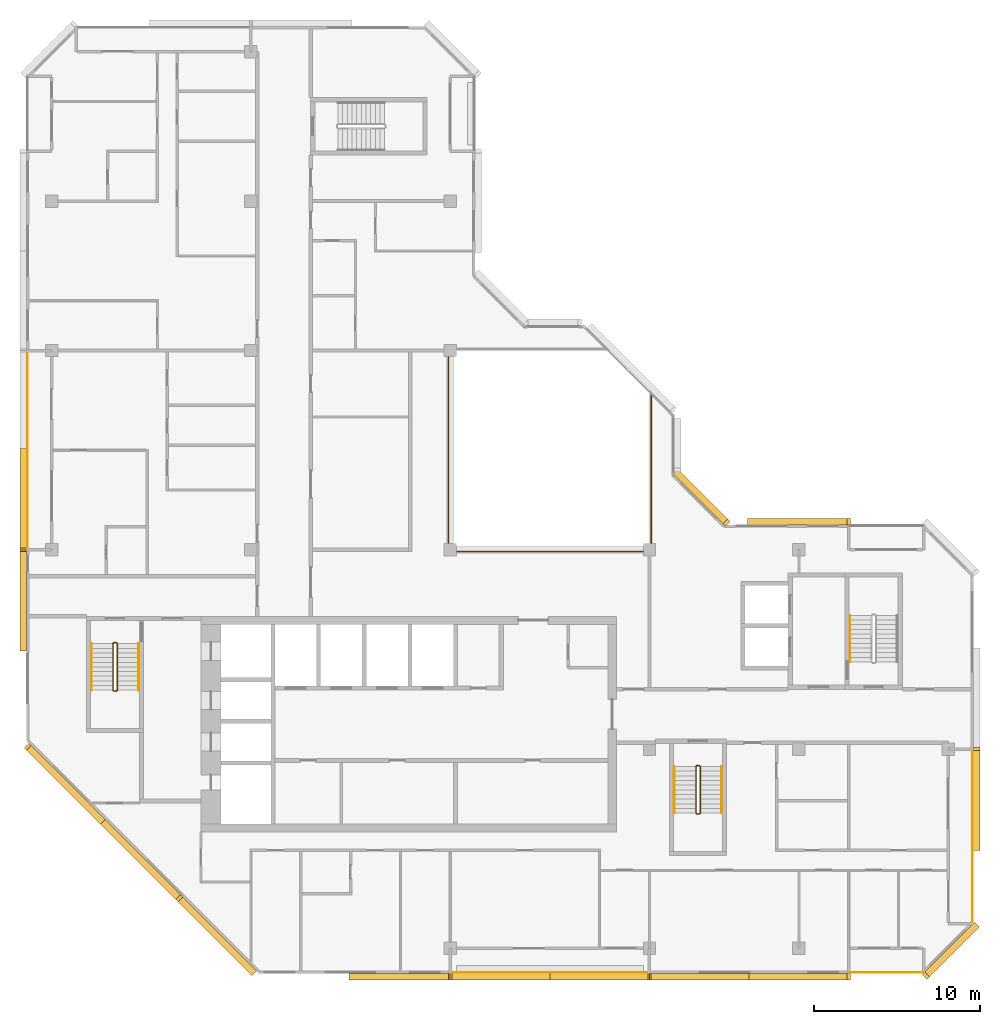
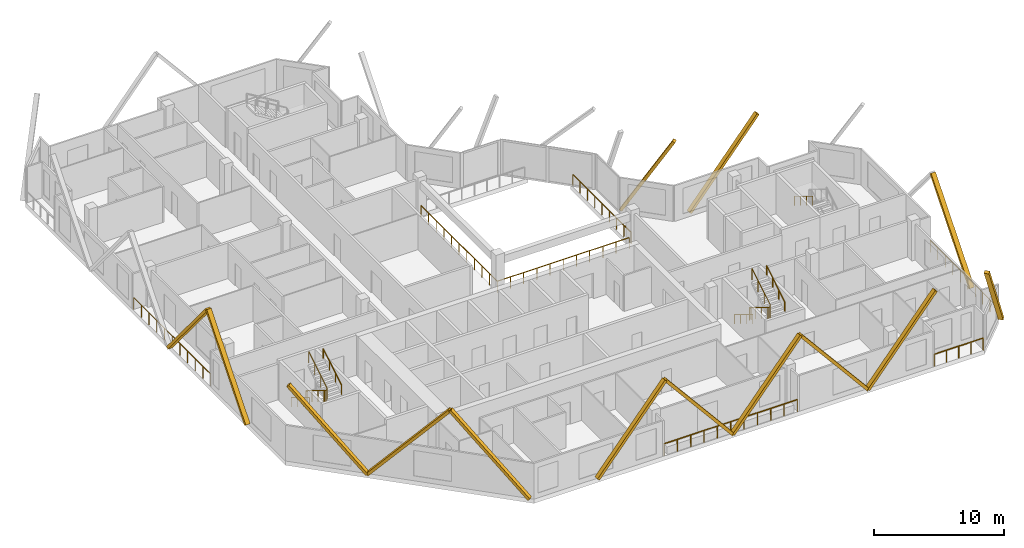
# One storey, part 11 of 12: 14 coverings, 13 railings.
"""IFC4 building model written with IfcOpenShell, lengths in metres."""

from ifc_helpers import new_model, si_unit, direction, frame, origin, origin_2d, place, context, subcontext, project, spatial, rectangle, extrude, material, material_profile, profile_set, type_object, element, save


model = new_model("IFC4")

# Units and contexts
model_context = context("Model", 3, precision=1e-05, world=origin(), true_north=direction((0.0, 1.0)))
body_context = subcontext(model_context, "Body", "Model", "MODEL_VIEW")
ifc_project = project(units=[si_unit("LENGTHUNIT", "METRE"), si_unit("AREAUNIT", "SQUARE_METRE"), si_unit("VOLUMEUNIT", "CUBIC_METRE"), si_unit("PLANEANGLEUNIT", "RADIAN"), si_unit("MASSUNIT", "GRAM", prefix="KILO")], contexts=[model_context])

# Site, building, storey
site_placement = place(None, origin())
site = spatial("IfcSite", under=ifc_project, at=site_placement, CompositionType="ELEMENT")
building_placement = place(site_placement, origin())
building = spatial("IfcBuilding", under=site, at=building_placement, Name="Chenar Terraces", CompositionType="ELEMENT")
storey_placement = place(building_placement, frame((0.0, 0.0, 368.89990234375)))
storey = spatial("IfcBuildingStorey", under=building, at=storey_placement, Name="L86", CompositionType="ELEMENT", Elevation=368.89990234375)

# Railings
ifc_material_1 = material(Name="Powder-coated steel", Category="steel")
railing_type_1 = type_object("IfcRailingType", Name="Guard 1100 steel rail with glass infill", PredefinedType="GUARDRAIL", material=ifc_material_1)
railing_1_placement = place(storey_placement, frame((23.89990234375, 35.625, 0.0)))
element("IfcRailing", 1, at=railing_1_placement, inside=storey, type_object=railing_type_1, Name="Guard L86-1", PredefinedType="GUARDRAIL", context=body_context, shape_type="SweptSolid", body=[
    extrude(rectangle(XDim=0.06005859375, YDim=0.06005859375, at=origin_2d()), frame((0.0, 0.0, 1.070068359375), z_axis=(0.0, -1.0, 0.0), x_axis=(1.0, 0.0, 0.0)), (0.0, 0.0, 1.0), 11.72509765625),
    extrude(rectangle(XDim=0.06005859375, YDim=0.06005859375, at=origin_2d()), frame((0.0, -11.72509765625, 1.070068359375), z_axis=(1.0, 0.0, 0.0), x_axis=(0.0, 1.0, 0.0)), (0.0, 0.0, 1.0), 11.72509765625),
    extrude(rectangle(XDim=0.050048828125, YDim=0.050048828125, at=origin_2d()), origin(), (0.0, 0.0, 1.0), 1.0400390625),
    extrude(rectangle(XDim=0.050048828125, YDim=0.050048828125, at=origin_2d()), frame((0.0, -1.172607421875, 0.0)), (0.0, 0.0, 1.0), 1.0400390625),
    extrude(rectangle(XDim=0.050048828125, YDim=0.050048828125, at=origin_2d()), frame((0.0, -2.344970703125, 0.0)), (0.0, 0.0, 1.0), 1.0400390625),
    extrude(rectangle(XDim=0.050048828125, YDim=0.050048828125, at=origin_2d()), frame((0.0, -3.517578125, 0.0)), (0.0, 0.0, 1.0), 1.0400390625),
    extrude(rectangle(XDim=0.050048828125, YDim=0.050048828125, at=origin_2d()), frame((0.0, -4.68994140625, 0.0)), (0.0, 0.0, 1.0), 1.0400390625),
    extrude(rectangle(XDim=0.050048828125, YDim=0.050048828125, at=origin_2d()), frame((0.0, -5.862548828125, 0.0)), (0.0, 0.0, 1.0), 1.0400390625),
    extrude(rectangle(XDim=0.050048828125, YDim=0.050048828125, at=origin_2d()), frame((0.0, -7.03515625, 0.0)), (0.0, 0.0, 1.0), 1.0400390625),
    extrude(rectangle(XDim=0.050048828125, YDim=0.050048828125, at=origin_2d()), frame((0.0, -8.20751953125, 0.0)), (0.0, 0.0, 1.0), 1.0400390625),
    extrude(rectangle(XDim=0.050048828125, YDim=0.050048828125, at=origin_2d()), frame((0.0, -9.380126953125, 0.0)), (0.0, 0.0, 1.0), 1.0400390625),
    extrude(rectangle(XDim=0.050048828125, YDim=0.050048828125, at=origin_2d()), frame((0.0, -10.552490234375, 0.0)), (0.0, 0.0, 1.0), 1.0400390625),
    extrude(rectangle(XDim=0.050048828125, YDim=0.050048828125, at=origin_2d()), frame((0.0, -11.72509765625, 0.0)), (0.0, 0.0, 1.0), 1.0400390625),
    extrude(rectangle(XDim=0.050048828125, YDim=0.050048828125, at=origin_2d()), frame((1.172607421875, -11.72509765625, 0.0)), (0.0, 0.0, 1.0), 1.0400390625),
    extrude(rectangle(XDim=0.050048828125, YDim=0.050048828125, at=origin_2d()), frame((2.344970703125, -11.72509765625, 0.0)), (0.0, 0.0, 1.0), 1.0400390625),
    extrude(rectangle(XDim=0.050048828125, YDim=0.050048828125, at=origin_2d()), frame((3.517578125, -11.72509765625, 0.0)), (0.0, 0.0, 1.0), 1.0400390625),
    extrude(rectangle(XDim=0.050048828125, YDim=0.050048828125, at=origin_2d()), frame((4.68994140625, -11.72509765625, 0.0)), (0.0, 0.0, 1.0), 1.0400390625),
    extrude(rectangle(XDim=0.050048828125, YDim=0.050048828125, at=origin_2d()), frame((5.862548828125, -11.72509765625, 0.0)), (0.0, 0.0, 1.0), 1.0400390625),
    extrude(rectangle(XDim=0.050048828125, YDim=0.050048828125, at=origin_2d()), frame((7.03515625, -11.72509765625, 0.0)), (0.0, 0.0, 1.0), 1.0400390625),
    extrude(rectangle(XDim=0.050048828125, YDim=0.050048828125, at=origin_2d()), frame((8.20751953125, -11.72509765625, 0.0)), (0.0, 0.0, 1.0), 1.0400390625),
    extrude(rectangle(XDim=0.050048828125, YDim=0.050048828125, at=origin_2d()), frame((9.380126953125, -11.72509765625, 0.0)), (0.0, 0.0, 1.0), 1.0400390625),
    extrude(rectangle(XDim=0.050048828125, YDim=0.050048828125, at=origin_2d()), frame((10.552490234375, -11.72509765625, 0.0)), (0.0, 0.0, 1.0), 1.0400390625),
    extrude(rectangle(XDim=0.050048828125, YDim=0.050048828125, at=origin_2d()), frame((11.72509765625, -11.72509765625, 0.0)), (0.0, 0.0, 1.0), 1.0400390625),
])
railing_2_placement = place(storey_placement, frame((36.10009765625, 24.425048828125, 0.0)))
element("IfcRailing", 2, at=railing_2_placement, inside=storey, type_object=railing_type_1, Name="Guard L86-3", PredefinedType="GUARDRAIL", context=body_context, shape_type="SweptSolid", body=[
    extrude(rectangle(XDim=0.06005859375, YDim=0.06005859375, at=origin_2d()), frame((0.0, 0.0, 1.070068359375), z_axis=(0.0, 1.0, 0.0), x_axis=(-1.0, 0.0, 0.0)), (0.0, 0.0, 1.0), 8.974853515625),
    extrude(rectangle(XDim=0.050048828125, YDim=0.050048828125, at=origin_2d()), origin(), (0.0, 0.0, 1.0), 1.0400390625),
    extrude(rectangle(XDim=0.050048828125, YDim=0.050048828125, at=origin_2d()), frame((0.0, 1.121826171875, 0.0)), (0.0, 0.0, 1.0), 1.0400390625),
    extrude(rectangle(XDim=0.050048828125, YDim=0.050048828125, at=origin_2d()), frame((0.0, 2.24365234375, 0.0)), (0.0, 0.0, 1.0), 1.0400390625),
    extrude(rectangle(XDim=0.050048828125, YDim=0.050048828125, at=origin_2d()), frame((0.0, 3.365478515625, 0.0)), (0.0, 0.0, 1.0), 1.0400390625),
    extrude(rectangle(XDim=0.050048828125, YDim=0.050048828125, at=origin_2d()), frame((0.0, 4.4873046875, 0.0)), (0.0, 0.0, 1.0), 1.0400390625),
    extrude(rectangle(XDim=0.050048828125, YDim=0.050048828125, at=origin_2d()), frame((0.0, 5.609375, 0.0)), (0.0, 0.0, 1.0), 1.0400390625),
    extrude(rectangle(XDim=0.050048828125, YDim=0.050048828125, at=origin_2d()), frame((0.0, 6.731201171875, 0.0)), (0.0, 0.0, 1.0), 1.0400390625),
    extrude(rectangle(XDim=0.050048828125, YDim=0.050048828125, at=origin_2d()), frame((0.0, 7.85302734375, 0.0)), (0.0, 0.0, 1.0), 1.0400390625),
    extrude(rectangle(XDim=0.050048828125, YDim=0.050048828125, at=origin_2d()), frame((0.0, 8.974853515625, 0.0)), (0.0, 0.0, 1.0), 1.0400390625),
])
ifc_material_2 = material(Name="Stainless steel and glass", Category="steel")
railing_type_2 = type_object("IfcRailingType", Name="Loggia guard 1150", PredefinedType="GUARDRAIL", material=ifc_material_2)
railing_3_placement = place(storey_placement, frame((55.449951171875, 1.574951171875, 0.0)))
element("IfcRailing", 3, at=railing_3_placement, inside=storey, type_object=railing_type_2, Name="Loggia guard", PredefinedType="GUARDRAIL", context=body_context, shape_type="SweptSolid", body=[
    extrude(rectangle(XDim=0.048095703125, YDim=0.048095703125, at=origin_2d()), frame((0.0, 0.0, 1.1259765625), z_axis=(0.0, 1.0, 0.0), x_axis=(-1.0, 0.0, 0.0)), (0.0, 0.0, 1.0), 10.35009765625),
    extrude(rectangle(XDim=0.0419921875, YDim=0.0419921875, at=origin_2d()), origin(), (0.0, 0.0, 1.0), 1.101806640625),
    extrude(rectangle(XDim=0.0419921875, YDim=0.0419921875, at=origin_2d()), frame((0.0, 1.14990234375, 0.0)), (0.0, 0.0, 1.0), 1.101806640625),
    extrude(rectangle(XDim=0.0419921875, YDim=0.0419921875, at=origin_2d()), frame((0.0, 2.300048828125, 0.0)), (0.0, 0.0, 1.0), 1.101806640625),
    extrude(rectangle(XDim=0.0419921875, YDim=0.0419921875, at=origin_2d()), frame((0.0, 3.449951171875, 0.0)), (0.0, 0.0, 1.0), 1.101806640625),
    extrude(rectangle(XDim=0.0419921875, YDim=0.0419921875, at=origin_2d()), frame((0.0, 4.60009765625, 0.0)), (0.0, 0.0, 1.0), 1.101806640625),
    extrude(rectangle(XDim=0.0419921875, YDim=0.0419921875, at=origin_2d()), frame((0.0, 5.75, 0.0)), (0.0, 0.0, 1.0), 1.101806640625),
    extrude(rectangle(XDim=0.0419921875, YDim=0.0419921875, at=origin_2d()), frame((0.0, 6.900146484375, 0.0)), (0.0, 0.0, 1.0), 1.101806640625),
    extrude(rectangle(XDim=0.0419921875, YDim=0.0419921875, at=origin_2d()), frame((0.0, 8.050048828125, 0.0)), (0.0, 0.0, 1.0), 1.101806640625),
    extrude(rectangle(XDim=0.0419921875, YDim=0.0419921875, at=origin_2d()), frame((0.0, 9.2001953125, 0.0)), (0.0, 0.0, 1.0), 1.101806640625),
    extrude(rectangle(XDim=0.0419921875, YDim=0.0419921875, at=origin_2d()), frame((0.0, 10.35009765625, 0.0)), (0.0, 0.0, 1.0), 1.101806640625),
])
railing_4_placement = place(storey_placement, frame((24.074951171875, -1.449951171875, 0.0)))
element("IfcRailing", 4, at=railing_4_placement, inside=storey, type_object=railing_type_2, Name="Loggia guard", PredefinedType="GUARDRAIL", context=body_context, shape_type="SweptSolid", body=[
    extrude(rectangle(XDim=0.048095703125, YDim=0.048095703125, at=origin_2d()), frame((0.0, 0.0, 1.1259765625), z_axis=(1.0, 0.0, 0.0), x_axis=(0.0, 1.0, 0.0)), (0.0, 0.0, 1.0), 11.85009765625),
    extrude(rectangle(XDim=0.0419921875, YDim=0.0419921875, at=origin_2d()), origin(), (0.0, 0.0, 1.0), 1.101806640625),
    extrude(rectangle(XDim=0.0419921875, YDim=0.0419921875, at=origin_2d()), frame((1.18505859375, 0.0, 0.0)), (0.0, 0.0, 1.0), 1.101806640625),
    extrude(rectangle(XDim=0.0419921875, YDim=0.0419921875, at=origin_2d()), frame((2.3701171875, 0.0, 0.0)), (0.0, 0.0, 1.0), 1.101806640625),
    extrude(rectangle(XDim=0.0419921875, YDim=0.0419921875, at=origin_2d()), frame((3.554931640625, 0.0, 0.0)), (0.0, 0.0, 1.0), 1.101806640625),
    extrude(rectangle(XDim=0.0419921875, YDim=0.0419921875, at=origin_2d()), frame((4.739990234375, 0.0, 0.0)), (0.0, 0.0, 1.0), 1.101806640625),
    extrude(rectangle(XDim=0.0419921875, YDim=0.0419921875, at=origin_2d()), frame((5.925048828125, 0.0, 0.0)), (0.0, 0.0, 1.0), 1.101806640625),
    extrude(rectangle(XDim=0.0419921875, YDim=0.0419921875, at=origin_2d()), frame((7.110107421875, 0.0, 0.0)), (0.0, 0.0, 1.0), 1.101806640625),
    extrude(rectangle(XDim=0.0419921875, YDim=0.0419921875, at=origin_2d()), frame((8.295166015625, 0.0, 0.0)), (0.0, 0.0, 1.0), 1.101806640625),
    extrude(rectangle(XDim=0.0419921875, YDim=0.0419921875, at=origin_2d()), frame((9.47998046875, 0.0, 0.0)), (0.0, 0.0, 1.0), 1.101806640625),
    extrude(rectangle(XDim=0.0419921875, YDim=0.0419921875, at=origin_2d()), frame((10.6650390625, 0.0, 0.0)), (0.0, 0.0, 1.0), 1.101806640625),
    extrude(rectangle(XDim=0.0419921875, YDim=0.0419921875, at=origin_2d()), frame((11.85009765625, 0.0, 0.0)), (0.0, 0.0, 1.0), 1.101806640625),
])
railing_5_placement = place(storey_placement, frame((48.074951171875, -1.449951171875, 0.0)))
element("IfcRailing", 5, at=railing_5_placement, inside=storey, type_object=railing_type_2, Name="Loggia guard", PredefinedType="GUARDRAIL", context=body_context, shape_type="SweptSolid", body=[
    extrude(rectangle(XDim=0.048095703125, YDim=0.048095703125, at=origin_2d()), frame((0.0, 0.0, 1.1259765625), z_axis=(1.0, 0.0, 0.0), x_axis=(0.0, 1.0, 0.0)), (0.0, 0.0, 1.0), 4.35009765625),
    extrude(rectangle(XDim=0.0419921875, YDim=0.0419921875, at=origin_2d()), origin(), (0.0, 0.0, 1.0), 1.101806640625),
    extrude(rectangle(XDim=0.0419921875, YDim=0.0419921875, at=origin_2d()), frame((1.08740234375, 0.0, 0.0)), (0.0, 0.0, 1.0), 1.101806640625),
    extrude(rectangle(XDim=0.0419921875, YDim=0.0419921875, at=origin_2d()), frame((2.175048828125, 0.0, 0.0)), (0.0, 0.0, 1.0), 1.101806640625),
    extrude(rectangle(XDim=0.0419921875, YDim=0.0419921875, at=origin_2d()), frame((3.2626953125, 0.0, 0.0)), (0.0, 0.0, 1.0), 1.101806640625),
    extrude(rectangle(XDim=0.0419921875, YDim=0.0419921875, at=origin_2d()), frame((4.35009765625, 0.0, 0.0)), (0.0, 0.0, 1.0), 1.101806640625),
])
railing_6_placement = place(storey_placement, frame((-1.449951171875, 35.925048828125, 0.0)))
element("IfcRailing", 6, at=railing_6_placement, inside=storey, type_object=railing_type_2, Name="Loggia guard", PredefinedType="GUARDRAIL", context=body_context, shape_type="SweptSolid", body=[
    extrude(rectangle(XDim=0.048095703125, YDim=0.048095703125, at=origin_2d()), frame((0.0, 0.0, 1.1259765625), z_axis=(0.0, -1.0, 0.0), x_axis=(1.0, 0.0, 0.0)), (0.0, 0.0, 1.0), 11.85009765625),
    extrude(rectangle(XDim=0.0419921875, YDim=0.0419921875, at=origin_2d()), origin(), (0.0, 0.0, 1.0), 1.101806640625),
    extrude(rectangle(XDim=0.0419921875, YDim=0.0419921875, at=origin_2d()), frame((0.0, -1.18505859375, 0.0)), (0.0, 0.0, 1.0), 1.101806640625),
    extrude(rectangle(XDim=0.0419921875, YDim=0.0419921875, at=origin_2d()), frame((0.0, -2.3701171875, 0.0)), (0.0, 0.0, 1.0), 1.101806640625),
    extrude(rectangle(XDim=0.0419921875, YDim=0.0419921875, at=origin_2d()), frame((0.0, -3.554931640625, 0.0)), (0.0, 0.0, 1.0), 1.101806640625),
    extrude(rectangle(XDim=0.0419921875, YDim=0.0419921875, at=origin_2d()), frame((0.0, -4.739990234375, 0.0)), (0.0, 0.0, 1.0), 1.101806640625),
    extrude(rectangle(XDim=0.0419921875, YDim=0.0419921875, at=origin_2d()), frame((0.0, -5.925048828125, 0.0)), (0.0, 0.0, 1.0), 1.101806640625),
    extrude(rectangle(XDim=0.0419921875, YDim=0.0419921875, at=origin_2d()), frame((0.0, -7.110107421875, 0.0)), (0.0, 0.0, 1.0), 1.101806640625),
    extrude(rectangle(XDim=0.0419921875, YDim=0.0419921875, at=origin_2d()), frame((0.0, -8.295166015625, 0.0)), (0.0, 0.0, 1.0), 1.101806640625),
    extrude(rectangle(XDim=0.0419921875, YDim=0.0419921875, at=origin_2d()), frame((0.0, -9.47998046875, 0.0)), (0.0, 0.0, 1.0), 1.101806640625),
    extrude(rectangle(XDim=0.0419921875, YDim=0.0419921875, at=origin_2d()), frame((0.0, -10.6650390625, 0.0)), (0.0, 0.0, 1.0), 1.101806640625),
    extrude(rectangle(XDim=0.0419921875, YDim=0.0419921875, at=origin_2d()), frame((0.0, -11.85009765625, 0.0)), (0.0, 0.0, 1.0), 1.101806640625),
])
ifc_material_3 = material(Name="Powder-coated steel", Category="steel")
railing_type_3 = type_object("IfcRailingType", Name="Stair guard 1100", PredefinedType="GUARDRAIL", material=ifc_material_3)
railing_7_placement = place(storey_placement, frame((3.949951171875, 18.35009765625, 3.75)))
element("IfcRailing", 7, at=railing_7_placement, inside=storey, type_object=railing_type_3, Name="L86 ST1 stair guard 1", PredefinedType="GUARDRAIL", context=body_context, shape_type="SweptSolid", body=[
    extrude(rectangle(XDim=0.048095703125, YDim=0.048095703125, at=origin_2d()), frame((0.0, 0.0, 1.076171875), z_axis=(0.0, -0.854202870247, -0.519939858505), x_axis=(1.0, 0.0, 0.0)), (0.0, 0.0, 1.0), 3.278076171875),
    extrude(rectangle(XDim=0.048095703125, YDim=0.048095703125, at=origin_2d()), frame((0.0, -2.800048828125, -0.62841796875), z_axis=(-0.270899902878, -0.270899902878, -0.923702595667), x_axis=(0.707106781187, -0.707106781187, 0.0)), (0.0, 0.0, 1.0), 0.184814453125),
    extrude(rectangle(XDim=0.048095703125, YDim=0.048095703125, at=origin_2d()), frame((-0.050048828125, -2.85009765625, -0.798828125), z_axis=(-1.0, 0.0, 0.0), x_axis=(0.0, -1.0, 0.0)), (0.0, 0.0, 1.0), 0.14990234375),
    extrude(rectangle(XDim=0.048095703125, YDim=0.048095703125, at=origin_2d()), frame((-0.199951171875, -2.85009765625, -0.798828125), z_axis=(-0.707106781187, 0.707106781187, 0.0), x_axis=(-0.707106781187, -0.707106781187, 0.0)), (0.0, 0.0, 1.0), 0.07080078125),
    extrude(rectangle(XDim=0.048095703125, YDim=0.048095703125, at=origin_2d()), frame((-0.25, -2.800048828125, -0.798828125), z_axis=(0.0, 0.854202870247, -0.519939858505), x_axis=(-1.0, 0.0, 0.0)), (0.0, 0.0, 1.0), 3.278076171875),
    extrude(rectangle(XDim=0.048095703125, YDim=0.048095703125, at=origin_2d()), frame((-0.25, 0.0, -2.50341796875), z_axis=(0.270996696079, 0.269674760976, -0.924032636873), x_axis=(-0.705375805398, 0.708833529934, 0.0)), (0.0, 0.0, 1.0), 0.1845703125),
    extrude(rectangle(XDim=0.048095703125, YDim=0.048095703125, at=origin_2d()), frame((-0.199951171875, 0.0498046875, -2.673828125), z_axis=(1.0, 0.0, 0.0), x_axis=(0.0, 1.0, 0.0)), (0.0, 0.0, 1.0), 0.14990234375),
    extrude(rectangle(XDim=0.0419921875, YDim=0.0419921875, at=origin_2d()), origin(), (0.0, 0.0, 1.0), 1.052001953125),
    extrude(rectangle(XDim=0.0419921875, YDim=0.0419921875, at=origin_2d()), frame((0.0, -0.933349609375, -0.568115234375)), (0.0, 0.0, 1.0), 1.052001953125),
    extrude(rectangle(XDim=0.0419921875, YDim=0.0419921875, at=origin_2d()), frame((0.0, -1.86669921875, -1.13623046875)), (0.0, 0.0, 1.0), 1.052001953125),
    extrude(rectangle(XDim=0.0419921875, YDim=0.0419921875, at=origin_2d()), frame((0.0, -2.800048828125, -1.704345703125)), (0.0, 0.0, 1.0), 1.052001953125),
    extrude(rectangle(XDim=0.0419921875, YDim=0.0419921875, at=origin_2d()), frame((-0.050048828125, -2.85009765625, -1.875)), (0.0, 0.0, 1.0), 1.052001953125),
    extrude(rectangle(XDim=0.0419921875, YDim=0.0419921875, at=origin_2d()), frame((-0.199951171875, -2.85009765625, -1.875)), (0.0, 0.0, 1.0), 1.052001953125),
    extrude(rectangle(XDim=0.0419921875, YDim=0.0419921875, at=origin_2d()), frame((-0.25, -2.800048828125, -1.875)), (0.0, 0.0, 1.0), 1.052001953125),
    extrude(rectangle(XDim=0.0419921875, YDim=0.0419921875, at=origin_2d()), frame((-0.25, -1.86669921875, -2.443115234375)), (0.0, 0.0, 1.0), 1.052001953125),
    extrude(rectangle(XDim=0.0419921875, YDim=0.0419921875, at=origin_2d()), frame((-0.25, -0.933349609375, -3.01123046875)), (0.0, 0.0, 1.0), 1.052001953125),
    extrude(rectangle(XDim=0.0419921875, YDim=0.0419921875, at=origin_2d()), frame((-0.25, 0.0, -3.579345703125)), (0.0, 0.0, 1.0), 1.052001953125),
    extrude(rectangle(XDim=0.0419921875, YDim=0.0419921875, at=origin_2d()), frame((-0.199951171875, 0.0498046875, -3.75)), (0.0, 0.0, 1.0), 1.052001953125),
    extrude(rectangle(XDim=0.0419921875, YDim=0.0419921875, at=origin_2d()), frame((-0.050048828125, 0.0498046875, -3.75)), (0.0, 0.0, 1.0), 1.052001953125),
])
railing_8_placement = place(storey_placement, frame((39.050048828125, 10.949951171875, 3.75)))
element("IfcRailing", 8, at=railing_8_placement, inside=storey, type_object=railing_type_3, Name="L86 ST2 stair guard 1", PredefinedType="GUARDRAIL", context=body_context, shape_type="SweptSolid", body=[
    extrude(rectangle(XDim=0.048095703125, YDim=0.048095703125, at=origin_2d()), frame((0.0, 0.0, 1.076171875), z_axis=(0.0, -0.854202870247, -0.519939858505), x_axis=(1.0, 0.0, 0.0)), (0.0, 0.0, 1.0), 3.278076171875),
    extrude(rectangle(XDim=0.048095703125, YDim=0.048095703125, at=origin_2d()), frame((0.0, -2.800048828125, -0.62841796875), z_axis=(-0.270996696079, -0.269674760976, -0.924032636873), x_axis=(0.705375805398, -0.708833529934, 0.0)), (0.0, 0.0, 1.0), 0.1845703125),
    extrude(rectangle(XDim=0.048095703125, YDim=0.048095703125, at=origin_2d()), frame((-0.050048828125, -2.849853515625, -0.798828125), z_axis=(-1.0, 0.0, 0.0), x_axis=(0.0, -1.0, 0.0)), (0.0, 0.0, 1.0), 0.14990234375),
    extrude(rectangle(XDim=0.048095703125, YDim=0.048095703125, at=origin_2d()), frame((-0.199951171875, -2.849853515625, -0.798828125), z_axis=(-0.708833529934, 0.705375805398, 0.0), x_axis=(-0.705375805398, -0.708833529934, 0.0)), (0.0, 0.0, 1.0), 0.070556640625),
    extrude(rectangle(XDim=0.048095703125, YDim=0.048095703125, at=origin_2d()), frame((-0.25, -2.800048828125, -0.798828125), z_axis=(0.0, 0.854202870247, -0.519939858505), x_axis=(-1.0, 0.0, 0.0)), (0.0, 0.0, 1.0), 3.278076171875),
    extrude(rectangle(XDim=0.048095703125, YDim=0.048095703125, at=origin_2d()), frame((-0.25, 0.0, -2.50341796875), z_axis=(0.270899902878, 0.270899902878, -0.923702595667), x_axis=(-0.707106781187, 0.707106781187, 0.0)), (0.0, 0.0, 1.0), 0.184814453125),
    extrude(rectangle(XDim=0.048095703125, YDim=0.048095703125, at=origin_2d()), frame((-0.199951171875, 0.050048828125, -2.673828125), z_axis=(1.0, 0.0, 0.0), x_axis=(0.0, 1.0, 0.0)), (0.0, 0.0, 1.0), 0.14990234375),
    extrude(rectangle(XDim=0.0419921875, YDim=0.0419921875, at=origin_2d()), origin(), (0.0, 0.0, 1.0), 1.052001953125),
    extrude(rectangle(XDim=0.0419921875, YDim=0.0419921875, at=origin_2d()), frame((0.0, -0.933349609375, -0.568115234375)), (0.0, 0.0, 1.0), 1.052001953125),
    extrude(rectangle(XDim=0.0419921875, YDim=0.0419921875, at=origin_2d()), frame((0.0, -1.86669921875, -1.13623046875)), (0.0, 0.0, 1.0), 1.052001953125),
    extrude(rectangle(XDim=0.0419921875, YDim=0.0419921875, at=origin_2d()), frame((0.0, -2.800048828125, -1.704345703125)), (0.0, 0.0, 1.0), 1.052001953125),
    extrude(rectangle(XDim=0.0419921875, YDim=0.0419921875, at=origin_2d()), frame((-0.050048828125, -2.849853515625, -1.875)), (0.0, 0.0, 1.0), 1.052001953125),
    extrude(rectangle(XDim=0.0419921875, YDim=0.0419921875, at=origin_2d()), frame((-0.199951171875, -2.849853515625, -1.875)), (0.0, 0.0, 1.0), 1.052001953125),
    extrude(rectangle(XDim=0.0419921875, YDim=0.0419921875, at=origin_2d()), frame((-0.25, -2.800048828125, -1.875)), (0.0, 0.0, 1.0), 1.052001953125),
    extrude(rectangle(XDim=0.0419921875, YDim=0.0419921875, at=origin_2d()), frame((-0.25, -1.86669921875, -2.443115234375)), (0.0, 0.0, 1.0), 1.052001953125),
    extrude(rectangle(XDim=0.0419921875, YDim=0.0419921875, at=origin_2d()), frame((-0.25, -0.933349609375, -3.01123046875)), (0.0, 0.0, 1.0), 1.052001953125),
    extrude(rectangle(XDim=0.0419921875, YDim=0.0419921875, at=origin_2d()), frame((-0.25, 0.0, -3.579345703125)), (0.0, 0.0, 1.0), 1.052001953125),
    extrude(rectangle(XDim=0.0419921875, YDim=0.0419921875, at=origin_2d()), frame((-0.199951171875, 0.050048828125, -3.75)), (0.0, 0.0, 1.0), 1.052001953125),
    extrude(rectangle(XDim=0.0419921875, YDim=0.0419921875, at=origin_2d()), frame((-0.050048828125, 0.050048828125, -3.75)), (0.0, 0.0, 1.0), 1.052001953125),
])
ifc_material_4 = material(Name="Powder-coated steel", Category="steel")
railing_type_4 = type_object("IfcRailingType", Name="Stair handrail 900", PredefinedType="HANDRAIL", material=ifc_material_4)
railing_9_placement = place(storey_placement, frame((2.39990234375, 18.35009765625, 0.170654296875)))
element("IfcRailing", 9, at=railing_9_placement, inside=storey, type_object=railing_type_4, Name="L86 ST1 stair handrail 1", PredefinedType="HANDRAIL", context=body_context, shape_type="SweptSolid", body=[
    extrude(rectangle(XDim=0.048095703125, YDim=0.048095703125, at=origin_2d()), frame((0.0, 0.0, 0.8759765625), z_axis=(0.0, -0.854202870247, 0.519939858505), x_axis=(1.0, 0.0, 0.0)), (0.0, 0.0, 1.0), 3.278076171875),
    extrude(rectangle(XDim=0.0419921875, YDim=0.0419921875, at=origin_2d()), origin(), (0.0, 0.0, 1.0), 0.851806640625),
    extrude(rectangle(XDim=0.0419921875, YDim=0.0419921875, at=origin_2d()), frame((0.0, -0.933349609375, 0.568115234375)), (0.0, 0.0, 1.0), 0.851806640625),
    extrude(rectangle(XDim=0.0419921875, YDim=0.0419921875, at=origin_2d()), frame((0.0, -1.86669921875, 1.13623046875)), (0.0, 0.0, 1.0), 0.851806640625),
    extrude(rectangle(XDim=0.0419921875, YDim=0.0419921875, at=origin_2d()), frame((0.0, -2.800048828125, 1.704345703125)), (0.0, 0.0, 1.0), 0.851806640625),
])
railing_10_placement = place(storey_placement, frame((5.25, 15.550048828125, 2.045654296875)))
element("IfcRailing", 10, at=railing_10_placement, inside=storey, type_object=railing_type_4, Name="L86 ST1 stair handrail 2", PredefinedType="HANDRAIL", context=body_context, shape_type="SweptSolid", body=[
    extrude(rectangle(XDim=0.048095703125, YDim=0.048095703125, at=origin_2d()), frame((0.0, 0.0, 0.8759765625), z_axis=(0.0, 0.854202870247, 0.519939858505), x_axis=(-1.0, 0.0, 0.0)), (0.0, 0.0, 1.0), 3.278076171875),
    extrude(rectangle(XDim=0.0419921875, YDim=0.0419921875, at=origin_2d()), origin(), (0.0, 0.0, 1.0), 0.851806640625),
    extrude(rectangle(XDim=0.0419921875, YDim=0.0419921875, at=origin_2d()), frame((0.0, 0.933349609375, 0.568115234375)), (0.0, 0.0, 1.0), 0.851806640625),
    extrude(rectangle(XDim=0.0419921875, YDim=0.0419921875, at=origin_2d()), frame((0.0, 1.86669921875, 1.13623046875)), (0.0, 0.0, 1.0), 0.851806640625),
    extrude(rectangle(XDim=0.0419921875, YDim=0.0419921875, at=origin_2d()), frame((0.0, 2.800048828125, 1.704345703125)), (0.0, 0.0, 1.0), 0.851806640625),
])
railing_11_placement = place(storey_placement, frame((37.5, 10.949951171875, 0.170654296875)))
element("IfcRailing", 11, at=railing_11_placement, inside=storey, type_object=railing_type_4, Name="L86 ST2 stair handrail 1", PredefinedType="HANDRAIL", context=body_context, shape_type="SweptSolid", body=[
    extrude(rectangle(XDim=0.048095703125, YDim=0.048095703125, at=origin_2d()), frame((0.0, 0.0, 0.8759765625), z_axis=(0.0, -0.854202870247, 0.519939858505), x_axis=(1.0, 0.0, 0.0)), (0.0, 0.0, 1.0), 3.278076171875),
    extrude(rectangle(XDim=0.0419921875, YDim=0.0419921875, at=origin_2d()), origin(), (0.0, 0.0, 1.0), 0.851806640625),
    extrude(rectangle(XDim=0.0419921875, YDim=0.0419921875, at=origin_2d()), frame((0.0, -0.933349609375, 0.568115234375)), (0.0, 0.0, 1.0), 0.851806640625),
    extrude(rectangle(XDim=0.0419921875, YDim=0.0419921875, at=origin_2d()), frame((0.0, -1.86669921875, 1.13623046875)), (0.0, 0.0, 1.0), 0.851806640625),
    extrude(rectangle(XDim=0.0419921875, YDim=0.0419921875, at=origin_2d()), frame((0.0, -2.800048828125, 1.704345703125)), (0.0, 0.0, 1.0), 0.851806640625),
])
railing_12_placement = place(storey_placement, frame((40.35009765625, 8.14990234375, 2.045654296875)))
element("IfcRailing", 12, at=railing_12_placement, inside=storey, type_object=railing_type_4, Name="L86 ST2 stair handrail 2", PredefinedType="HANDRAIL", context=body_context, shape_type="SweptSolid", body=[
    extrude(rectangle(XDim=0.048095703125, YDim=0.048095703125, at=origin_2d()), frame((0.0, 0.0, 0.8759765625), z_axis=(0.0, 0.854202870247, 0.519939858505), x_axis=(-1.0, 0.0, 0.0)), (0.0, 0.0, 1.0), 3.278076171875),
    extrude(rectangle(XDim=0.0419921875, YDim=0.0419921875, at=origin_2d()), origin(), (0.0, 0.0, 1.0), 0.851806640625),
    extrude(rectangle(XDim=0.0419921875, YDim=0.0419921875, at=origin_2d()), frame((0.0, 0.933349609375, 0.568115234375)), (0.0, 0.0, 1.0), 0.851806640625),
    extrude(rectangle(XDim=0.0419921875, YDim=0.0419921875, at=origin_2d()), frame((0.0, 1.86669921875, 1.13623046875)), (0.0, 0.0, 1.0), 0.851806640625),
    extrude(rectangle(XDim=0.0419921875, YDim=0.0419921875, at=origin_2d()), frame((0.0, 2.800048828125, 1.704345703125)), (0.0, 0.0, 1.0), 0.851806640625),
])
railing_13_placement = place(storey_placement, frame((48.074951171875, 20.050048828125, 2.045654296875)))
element("IfcRailing", 13, at=railing_13_placement, inside=storey, type_object=railing_type_4, Name="L86 ST3 stair handrail 2", PredefinedType="HANDRAIL", context=body_context, shape_type="SweptSolid", body=[
    extrude(rectangle(XDim=0.048095703125, YDim=0.048095703125, at=origin_2d()), frame((0.0, 0.0, 0.8759765625), z_axis=(0.0, -0.854202870247, 0.519939858505), x_axis=(1.0, 0.0, 0.0)), (0.0, 0.0, 1.0), 3.278076171875),
    extrude(rectangle(XDim=0.0419921875, YDim=0.0419921875, at=origin_2d()), origin(), (0.0, 0.0, 1.0), 0.851806640625),
    extrude(rectangle(XDim=0.0419921875, YDim=0.0419921875, at=origin_2d()), frame((0.0, -0.933349609375, 0.568115234375)), (0.0, 0.0, 1.0), 0.851806640625),
    extrude(rectangle(XDim=0.0419921875, YDim=0.0419921875, at=origin_2d()), frame((0.0, -1.86669921875, 1.13623046875)), (0.0, 0.0, 1.0), 0.851806640625),
    extrude(rectangle(XDim=0.0419921875, YDim=0.0419921875, at=origin_2d()), frame((0.0, -2.800048828125, 1.704345703125)), (0.0, 0.0, 1.0), 0.851806640625),
])

# Coverings
ifc_material_5 = material(Name="Terracotta", Category="masonry")
ifc_material_profile = material_profile(ifc_material_5, rectangle(XDim=0.39990234375, YDim=0.25, at=origin_2d()), Name="Terracotta baguette 400 x 250")
ifc_profile_set = profile_set([ifc_material_profile], Name="Terracotta")
covering_type = type_object("IfcCoveringType", Name="Terracotta baguette 400 x 250", PredefinedType="CLADDING", material=ifc_profile_set)
covering_1_placement = place(storey_placement, frame((48.0, 25.699951171875, 7.35009765625), z_axis=(-0.640186961885, 0.0, -0.768219144407), x_axis=(0.0, -1.0, 0.0)))
element("IfcCovering", 14, at=covering_1_placement, inside=storey, type_object=covering_type, Name="Terracotta baguette", PredefinedType="CLADDING", context=body_context, shape_type="SweptSolid", body=[
    extrude(rectangle(XDim=0.39990234375, YDim=0.25, at=origin_2d()), origin(), (0.0, 0.0, 1.0), 9.372314453125),
])
covering_2_placement = place(storey_placement, frame((40.641357421875, 25.641357421875, 7.35009765625), z_axis=(-0.358980886355, 0.358980886355, -0.861548284464), x_axis=(-0.707106781187, -0.707106781187, 0.0)))
element("IfcCovering", 15, at=covering_2_placement, inside=storey, type_object=covering_type, Name="Terracotta baguette", PredefinedType="CLADDING", context=body_context, shape_type="SweptSolid", body=[
    extrude(rectangle(XDim=0.39990234375, YDim=0.25, at=origin_2d()), origin(), (0.0, 0.0, 1.0), 8.35693359375),
])
for number, where, z_axis, x_axis, name in (
    (16, (-1.699951171875, 30.0, 0.150146484375), (0.0, -0.640186961885, 0.768219144407), (1.0, 0.0, 0.0), "Terracotta baguette"),
    (17, (-1.699951171875, 24.0, 7.35009765625), (0.0, -0.640186961885, -0.768219144407), (1.0, 0.0, 0.0), "Terracotta baguette"),
):
    element("IfcCovering", number, at=place(storey_placement, frame(where, z_axis=z_axis, x_axis=x_axis)), inside=storey, type_object=covering_type, Name=name, PredefinedType="CLADDING", context=body_context, shape_type="SweptSolid", body=[
        extrude(rectangle(XDim=0.39990234375, YDim=0.25, at=origin_2d()), origin(), (0.0, 0.0, 1.0), 9.372314453125),
    ])
covering_3_placement = place(storey_placement, frame((-1.42919921875, 12.146484375, 7.35009765625), z_axis=(0.465604048687, -0.46562956823, -0.752596821038), x_axis=(0.707126158488, 0.707087403354, 0.0)))
element("IfcCovering", 18, at=covering_3_placement, inside=storey, type_object=covering_type, Name="Terracotta baguette", PredefinedType="CLADDING", context=body_context, shape_type="SweptSolid", body=[
    extrude(rectangle(XDim=0.39990234375, YDim=0.25, at=origin_2d()), origin(), (0.0, 0.0, 1.0), 9.56689453125),
])
covering_4_placement = place(storey_placement, frame((3.025146484375, 7.69189453125, 0.150146484375), z_axis=(0.477802509271, -0.477802509271, 0.73716315987), x_axis=(0.707106781187, 0.707106781187, 0.0)))
element("IfcCovering", 19, at=covering_4_placement, inside=storey, type_object=covering_type, Name="Terracotta baguette", PredefinedType="CLADDING", context=body_context, shape_type="SweptSolid", body=[
    extrude(rectangle(XDim=0.39990234375, YDim=0.25, at=origin_2d()), origin(), (0.0, 0.0, 1.0), 9.76708984375),
])
covering_5_placement = place(storey_placement, frame((7.69189453125, 3.025146484375, 7.35009765625), z_axis=(0.46562956823, -0.465604048687, -0.752596821038), x_axis=(0.707087403354, 0.707126158488, 0.0)))
element("IfcCovering", 20, at=covering_5_placement, inside=storey, type_object=covering_type, Name="Terracotta baguette", PredefinedType="CLADDING", context=body_context, shape_type="SweptSolid", body=[
    extrude(rectangle(XDim=0.39990234375, YDim=0.25, at=origin_2d()), origin(), (0.0, 0.0, 1.0), 9.56689453125),
])
for number, where, z_axis, x_axis, name in (
    (21, (18.0, -1.699951171875, 0.150146484375), (0.640186961885, 0.0, 0.768219144407), (0.0, 1.0, 0.0), "Terracotta baguette"),
    (22, (24.0, -1.699951171875, 7.35009765625), (0.640186961885, 0.0, -0.768219144407), (0.0, 1.0, 0.0), "Terracotta baguette"),
    (23, (30.0, -1.699951171875, 0.150146484375), (0.640186961885, 0.0, 0.768219144407), (0.0, 1.0, 0.0), "Terracotta baguette"),
    (24, (36.0, -1.699951171875, 7.35009765625), (0.640186961885, 0.0, -0.768219144407), (0.0, 1.0, 0.0), "Terracotta baguette"),
    (25, (42.0, -1.699951171875, 0.150146484375), (0.640186961885, 0.0, 0.768219144407), (0.0, 1.0, 0.0), "Terracotta baguette"),
):
    element("IfcCovering", number, at=place(storey_placement, frame(where, z_axis=z_axis, x_axis=x_axis)), inside=storey, type_object=covering_type, Name=name, PredefinedType="CLADDING", context=body_context, shape_type="SweptSolid", body=[
        extrude(rectangle(XDim=0.39990234375, YDim=0.25, at=origin_2d()), origin(), (0.0, 0.0, 1.0), 9.372314453125),
    ])
covering_6_placement = place(storey_placement, frame((52.641357421875, -1.641357421875, 7.35009765625), z_axis=(0.358980886355, 0.358980886355, -0.861548284464), x_axis=(-0.707106781187, 0.707106781187, 0.0)))
element("IfcCovering", 26, at=covering_6_placement, inside=storey, type_object=covering_type, Name="Terracotta baguette", PredefinedType="CLADDING", context=body_context, shape_type="SweptSolid", body=[
    extrude(rectangle(XDim=0.39990234375, YDim=0.25, at=origin_2d()), origin(), (0.0, 0.0, 1.0), 8.35693359375),
])
covering_7_placement = place(storey_placement, frame((55.699951171875, 6.0, 0.150146484375), z_axis=(0.0, 0.640186961885, 0.768219144407), x_axis=(-1.0, 0.0, 0.0)))
element("IfcCovering", 27, at=covering_7_placement, inside=storey, type_object=covering_type, Name="Terracotta baguette", PredefinedType="CLADDING", context=body_context, shape_type="SweptSolid", body=[
    extrude(rectangle(XDim=0.39990234375, YDim=0.25, at=origin_2d()), origin(), (0.0, 0.0, 1.0), 9.372314453125),
])

save(model, "model.ifc")
